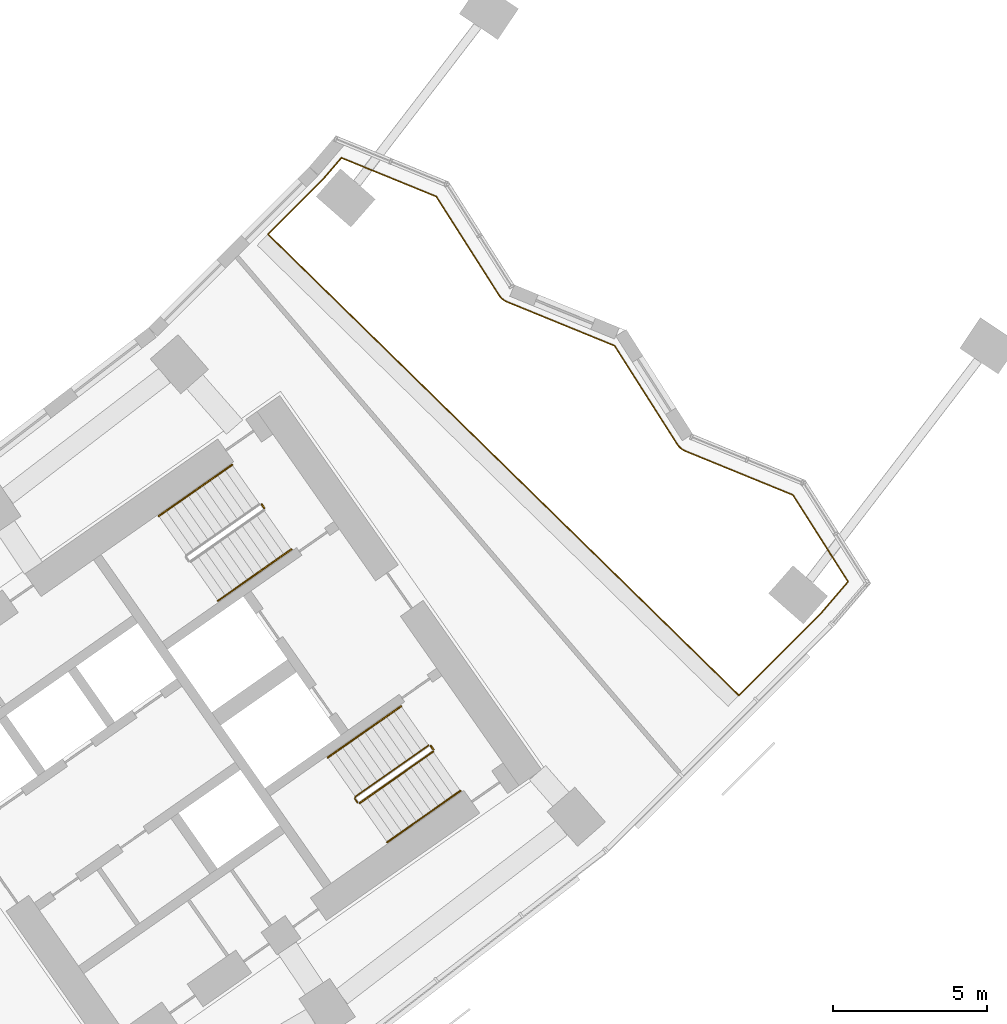
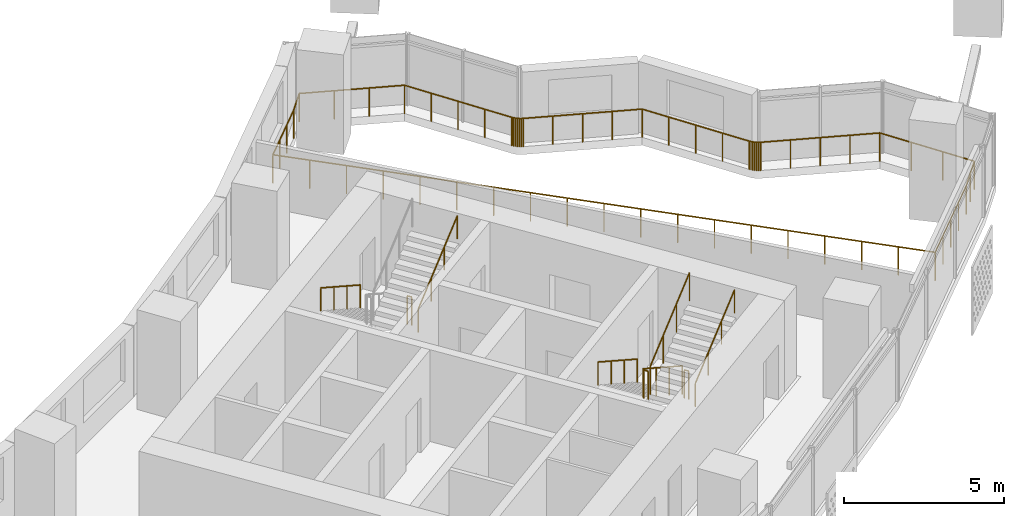
# One storey, part 29 of 30: 9 railings.
"""IFC4 building model written with IfcOpenShell, lengths in metres."""

from ifc_helpers import new_model, si_unit, direction, frame, origin, origin_2d, place, context, subcontext, project, spatial, circle, extrude, material, type_object, element, save


model = new_model("IFC4")

# Units and contexts
model_context = context("Model", 3, precision=1e-05, world=origin(), true_north=direction((0.0, 1.0)))
body_context = subcontext(model_context, "Body", "Model", "MODEL_VIEW")
ifc_project = project(units=[si_unit("LENGTHUNIT", "METRE"), si_unit("AREAUNIT", "SQUARE_METRE"), si_unit("VOLUMEUNIT", "CUBIC_METRE"), si_unit("PLANEANGLEUNIT", "RADIAN"), si_unit("MASSUNIT", "GRAM", prefix="KILO")], contexts=[model_context])

# Site, building, storey
site_placement = place(None, origin())
site = spatial("IfcSite", under=ifc_project, at=site_placement, CompositionType="ELEMENT")
building_placement = place(site_placement, origin())
building = spatial("IfcBuilding", under=site, at=building_placement, Name="Qamariyya Broadcast Tower", CompositionType="ELEMENT")
storey_placement = place(building_placement, frame((0.0, 0.0, 98.699951171875)))
storey = spatial("IfcBuildingStorey", under=building, at=storey_placement, Name="L21", CompositionType="ELEMENT", Elevation=98.699951171875)

# Railings
ifc_material_1 = material(Name="Stainless steel S316 balustrade", Category="steel")
railing_type_1 = type_object("IfcRailingType", Name="Garden void guard", PredefinedType="GUARDRAIL", material=ifc_material_1)
railing_1_placement = place(storey_placement, frame((43.053466796875, -37.80908203125, 0.0)))
element("IfcRailing", 1, at=railing_1_placement, inside=storey, type_object=railing_type_1, Name="Guard round Sky garden B2", PredefinedType="GUARDRAIL", context=body_context, shape_type="SweptSolid", body=[
    extrude(circle(Radius=0.02392578125, at=origin_2d()), frame((0.0, 0.0, 1.076171875), z_axis=(-0.707058137649, -0.707155421378, 0.0), x_axis=(0.707155421378, -0.707058137649, 0.0)), (0.0, 0.0, 1.0), 2.509521484375),
    extrude(circle(Radius=0.02392578125, at=origin_2d()), frame((-1.7744140625, -1.774658203125, 1.076171875), z_axis=(0.714476965864, -0.699658963531, 0.0), x_axis=(0.699658963531, 0.714476965864, 0.0)), (0.0, 0.0, 1.0), 21.352783203125),
    extrude(circle(Radius=0.02392578125, at=origin_2d()), frame((13.481689453125, -16.71435546875, 1.076171875), z_axis=(0.70707414825, 0.707139412617, 0.0), x_axis=(-0.707139412617, 0.70707414825, 0.0)), (0.0, 0.0, 1.0), 3.74072265625),
    extrude(circle(Radius=0.02392578125, at=origin_2d()), frame((16.126708984375, -14.069091796875, 1.076171875), z_axis=(0.650688515061, 0.75934475462, 0.0), x_axis=(-0.75934475462, 0.650688515061, 0.0)), (0.0, 0.0, 1.0), 1.368408203125),
    extrude(circle(Radius=0.02392578125, at=origin_2d()), frame((17.01708984375, -13.030029296875, 1.076171875), z_axis=(-0.536500324445, 0.843900113681, 0.0), x_axis=(-0.843900113681, -0.536500324445, 0.0)), (0.0, 0.0, 1.0), 3.326904296875),
    extrude(circle(Radius=0.02392578125, at=origin_2d()), frame((15.232177734375, -10.222412109375, 1.076171875), z_axis=(-0.925801653121, 0.378009654742, 0.0), x_axis=(-0.378009654742, -0.925801653121, 0.0)), (0.0, 0.0, 1.0), 3.753173828125),
    extrude(circle(Radius=0.02392578125, at=origin_2d()), frame((11.757568359375, -8.8037109375, 1.076171875), z_axis=(-0.905268109182, 0.42484073545, 0.0), x_axis=(-0.42484073545, -0.905268109182, 0.0)), (0.0, 0.0, 1.0), 0.0615234375),
    extrude(circle(Radius=0.02392578125, at=origin_2d()), frame((11.701904296875, -8.777587890625, 1.076171875), z_axis=(-0.857841539246, 0.513914286184, 0.0), x_axis=(-0.513914286184, -0.857841539246, 0.0)), (0.0, 0.0, 1.0), 0.061767578125),
    extrude(circle(Radius=0.02392578125, at=origin_2d()), frame((11.64892578125, -8.745849609375, 1.076171875), z_axis=(-0.797612767624, 0.603169854124, 0.0), x_axis=(-0.603169854124, -0.797612767624, 0.0)), (0.0, 0.0, 1.0), 0.0615234375),
    extrude(circle(Radius=0.02392578125, at=origin_2d()), frame((11.599853515625, -8.708740234375, 1.076171875), z_axis=(-0.734197815245, 0.678935614097, 0.0), x_axis=(-0.678935614097, -0.734197815245, 0.0)), (0.0, 0.0, 1.0), 0.061767578125),
    extrude(circle(Radius=0.02392578125, at=origin_2d()), frame((11.554443359375, -8.666748046875, 1.076171875), z_axis=(-0.659910665695, 0.751344071183, 0.0), x_axis=(-0.751344071183, -0.659910665695, 0.0)), (0.0, 0.0, 1.0), 0.0615234375),
    extrude(circle(Radius=0.02392578125, at=origin_2d()), frame((11.513916015625, -8.62060546875, 1.076171875), z_axis=(-0.580864345818, 0.814000375772, 0.0), x_axis=(-0.814000375772, -0.580864345818, 0.0)), (0.0, 0.0, 1.0), 0.061767578125),
    extrude(circle(Radius=0.02392578125, at=origin_2d()), frame((11.47802734375, -8.5703125, 1.076171875), z_axis=(-0.536557167041, 0.84386397393, 0.0), x_axis=(-0.84386397393, -0.536557167041, 0.0)), (0.0, 0.0, 1.0), 3.77197265625),
    extrude(circle(Radius=0.02392578125, at=origin_2d()), frame((9.4541015625, -5.38720703125, 1.076171875), z_axis=(-0.925832774876, 0.377933423986, 0.0), x_axis=(-0.377933423986, -0.925832774876, 0.0)), (0.0, 0.0, 1.0), 3.751953125),
    extrude(circle(Radius=0.02392578125, at=origin_2d()), frame((5.98046875, -3.96923828125, 1.076171875), z_axis=(-0.904460344159, 0.426557716896, 0.0), x_axis=(-0.426557716896, -0.904460344159, 0.0)), (0.0, 0.0, 1.0), 0.061767578125),
    extrude(circle(Radius=0.02392578125, at=origin_2d()), frame((5.924560546875, -3.94287109375, 1.076171875), z_axis=(-0.856792138492, 0.515661935204, 0.0), x_axis=(-0.515661935204, -0.856792138492, 0.0)), (0.0, 0.0, 1.0), 0.0615234375),
    extrude(circle(Radius=0.02392578125, at=origin_2d()), frame((5.871826171875, -3.9111328125, 1.076171875), z_axis=(-0.79904963266, 0.60126507012, 0.0), x_axis=(-0.60126507012, -0.79904963266, 0.0)), (0.0, 0.0, 1.0), 0.061767578125),
    extrude(circle(Radius=0.02392578125, at=origin_2d()), frame((5.822509765625, -3.8740234375, 1.076171875), z_axis=(-0.734346728958, 0.678774544064, 0.0), x_axis=(-0.678774544064, -0.734346728958, 0.0)), (0.0, 0.0, 1.0), 0.0615234375),
    extrude(circle(Radius=0.02392578125, at=origin_2d()), frame((5.77734375, -3.832275390625, 1.076171875), z_axis=(-0.660182198406, 0.751105495192, 0.0), x_axis=(-0.751105495192, -0.660182198406, 0.0)), (0.0, 0.0, 1.0), 0.061767578125),
    extrude(circle(Radius=0.02392578125, at=origin_2d()), frame((5.736572265625, -3.785888671875, 1.076171875), z_axis=(-0.578237094784, 0.815868777572, 0.0), x_axis=(-0.815868777572, -0.578237094784, 0.0)), (0.0, 0.0, 1.0), 0.0615234375),
    extrude(circle(Radius=0.02392578125, at=origin_2d()), frame((5.700927734375, -3.735595703125, 1.076171875), z_axis=(-0.536699644461, 0.84377336509, 0.0), x_axis=(-0.84377336509, -0.536699644461, 0.0)), (0.0, 0.0, 1.0), 3.7734375),
    extrude(circle(Radius=0.02392578125, at=origin_2d()), frame((3.67578125, -0.5517578125, 1.076171875), z_axis=(-0.925871284515, 0.377839072239, 0.0), x_axis=(-0.377839072239, -0.925871284515, 0.0)), (0.0, 0.0, 1.0), 3.31787109375),
    extrude(circle(Radius=0.02392578125, at=origin_2d()), frame((0.603759765625, 0.701904296875, 1.076171875), z_axis=(-0.650608489316, -0.759413322, 0.0), x_axis=(0.759413322, -0.650608489316, 0.0)), (0.0, 0.0, 1.0), 0.879638671875),
    extrude(circle(Radius=0.02392578125, at=origin_2d()), frame((0.031494140625, 0.033935546875, 1.076171875), z_axis=(-0.680248811934, -0.732981277975, 0.0), x_axis=(0.732981277975, -0.680248811934, 0.0)), (0.0, 0.0, 1.0), 0.04638671875),
    extrude(circle(Radius=0.02099609375, at=origin_2d()), origin(), (0.0, 0.0, 1.0), 1.052001953125),
    extrude(circle(Radius=0.02099609375, at=origin_2d()), frame((-0.591552734375, -0.591552734375, 0.0)), (0.0, 0.0, 1.0), 1.052001953125),
    extrude(circle(Radius=0.02099609375, at=origin_2d()), frame((-1.182861328125, -1.18310546875, 0.0)), (0.0, 0.0, 1.0), 1.052001953125),
    extrude(circle(Radius=0.02099609375, at=origin_2d()), frame((-1.7744140625, -1.774658203125, 0.0)), (0.0, 0.0, 1.0), 1.052001953125),
    extrude(circle(Radius=0.02099609375, at=origin_2d()), frame((-0.9267578125, -2.604736328125, 0.0)), (0.0, 0.0, 1.0), 1.052001953125),
    extrude(circle(Radius=0.02099609375, at=origin_2d()), frame((-0.079345703125, -3.4345703125, 0.0)), (0.0, 0.0, 1.0), 1.052001953125),
    extrude(circle(Radius=0.02099609375, at=origin_2d()), frame((0.768310546875, -4.2646484375, 0.0)), (0.0, 0.0, 1.0), 1.052001953125),
    extrude(circle(Radius=0.02099609375, at=origin_2d()), frame((1.61572265625, -5.094482421875, 0.0)), (0.0, 0.0, 1.0), 1.052001953125),
    extrude(circle(Radius=0.02099609375, at=origin_2d()), frame((2.46337890625, -5.924560546875, 0.0)), (0.0, 0.0, 1.0), 1.052001953125),
    extrude(circle(Radius=0.02099609375, at=origin_2d()), frame((3.31103515625, -6.754638671875, 0.0)), (0.0, 0.0, 1.0), 1.052001953125),
    extrude(circle(Radius=0.02099609375, at=origin_2d()), frame((4.158447265625, -7.58447265625, 0.0)), (0.0, 0.0, 1.0), 1.052001953125),
    extrude(circle(Radius=0.02099609375, at=origin_2d()), frame((5.006103515625, -8.41455078125, 0.0)), (0.0, 0.0, 1.0), 1.052001953125),
    extrude(circle(Radius=0.02099609375, at=origin_2d()), frame((5.853515625, -9.24462890625, 0.0)), (0.0, 0.0, 1.0), 1.052001953125),
    extrude(circle(Radius=0.02099609375, at=origin_2d()), frame((6.701171875, -10.074462890625, 0.0)), (0.0, 0.0, 1.0), 1.052001953125),
    extrude(circle(Radius=0.02099609375, at=origin_2d()), frame((7.548828125, -10.904541015625, 0.0)), (0.0, 0.0, 1.0), 1.052001953125),
    extrude(circle(Radius=0.02099609375, at=origin_2d()), frame((8.396240234375, -11.734375, 0.0)), (0.0, 0.0, 1.0), 1.052001953125),
    extrude(circle(Radius=0.02099609375, at=origin_2d()), frame((9.243896484375, -12.564453125, 0.0)), (0.0, 0.0, 1.0), 1.052001953125),
    extrude(circle(Radius=0.02099609375, at=origin_2d()), frame((10.091552734375, -13.39453125, 0.0)), (0.0, 0.0, 1.0), 1.052001953125),
    extrude(circle(Radius=0.02099609375, at=origin_2d()), frame((10.93896484375, -14.224365234375, 0.0)), (0.0, 0.0, 1.0), 1.052001953125),
    extrude(circle(Radius=0.02099609375, at=origin_2d()), frame((11.78662109375, -15.054443359375, 0.0)), (0.0, 0.0, 1.0), 1.052001953125),
    extrude(circle(Radius=0.02099609375, at=origin_2d()), frame((12.634033203125, -15.88427734375, 0.0)), (0.0, 0.0, 1.0), 1.052001953125),
    extrude(circle(Radius=0.02099609375, at=origin_2d()), frame((13.481689453125, -16.71435546875, 0.0)), (0.0, 0.0, 1.0), 1.052001953125),
    extrude(circle(Radius=0.02099609375, at=origin_2d()), frame((14.14306640625, -16.052978515625, 0.0)), (0.0, 0.0, 1.0), 1.052001953125),
    extrude(circle(Radius=0.02099609375, at=origin_2d()), frame((14.80419921875, -15.3916015625, 0.0)), (0.0, 0.0, 1.0), 1.052001953125),
    extrude(circle(Radius=0.02099609375, at=origin_2d()), frame((15.46533203125, -14.73046875, 0.0)), (0.0, 0.0, 1.0), 1.052001953125),
    extrude(circle(Radius=0.02099609375, at=origin_2d()), frame((16.126708984375, -14.069091796875, 0.0)), (0.0, 0.0, 1.0), 1.052001953125),
    extrude(circle(Radius=0.02099609375, at=origin_2d()), frame((16.57177734375, -13.549560546875, 0.0)), (0.0, 0.0, 1.0), 1.052001953125),
    extrude(circle(Radius=0.02099609375, at=origin_2d()), frame((17.01708984375, -13.030029296875, 0.0)), (0.0, 0.0, 1.0), 1.052001953125),
    extrude(circle(Radius=0.02099609375, at=origin_2d()), frame((16.422119140625, -12.09423828125, 0.0)), (0.0, 0.0, 1.0), 1.052001953125),
    extrude(circle(Radius=0.02099609375, at=origin_2d()), frame((15.8271484375, -11.158203125, 0.0)), (0.0, 0.0, 1.0), 1.052001953125),
    extrude(circle(Radius=0.02099609375, at=origin_2d()), frame((15.232177734375, -10.222412109375, 0.0)), (0.0, 0.0, 1.0), 1.052001953125),
    extrude(circle(Radius=0.02099609375, at=origin_2d()), frame((14.363525390625, -9.86767578125, 0.0)), (0.0, 0.0, 1.0), 1.052001953125),
    extrude(circle(Radius=0.02099609375, at=origin_2d()), frame((13.494873046875, -9.51318359375, 0.0)), (0.0, 0.0, 1.0), 1.052001953125),
    extrude(circle(Radius=0.02099609375, at=origin_2d()), frame((12.626220703125, -9.158447265625, 0.0)), (0.0, 0.0, 1.0), 1.052001953125),
    extrude(circle(Radius=0.02099609375, at=origin_2d()), frame((11.757568359375, -8.8037109375, 0.0)), (0.0, 0.0, 1.0), 1.052001953125),
    extrude(circle(Radius=0.02099609375, at=origin_2d()), frame((11.701904296875, -8.777587890625, 0.0)), (0.0, 0.0, 1.0), 1.052001953125),
    extrude(circle(Radius=0.02099609375, at=origin_2d()), frame((11.64892578125, -8.745849609375, 0.0)), (0.0, 0.0, 1.0), 1.052001953125),
    extrude(circle(Radius=0.02099609375, at=origin_2d()), frame((11.599853515625, -8.708740234375, 0.0)), (0.0, 0.0, 1.0), 1.052001953125),
    extrude(circle(Radius=0.02099609375, at=origin_2d()), frame((11.554443359375, -8.666748046875, 0.0)), (0.0, 0.0, 1.0), 1.052001953125),
    extrude(circle(Radius=0.02099609375, at=origin_2d()), frame((11.513916015625, -8.62060546875, 0.0)), (0.0, 0.0, 1.0), 1.052001953125),
    extrude(circle(Radius=0.02099609375, at=origin_2d()), frame((11.47802734375, -8.5703125, 0.0)), (0.0, 0.0, 1.0), 1.052001953125),
    extrude(circle(Radius=0.02099609375, at=origin_2d()), frame((10.97216796875, -7.7744140625, 0.0)), (0.0, 0.0, 1.0), 1.052001953125),
    extrude(circle(Radius=0.02099609375, at=origin_2d()), frame((10.466064453125, -6.978759765625, 0.0)), (0.0, 0.0, 1.0), 1.052001953125),
    extrude(circle(Radius=0.02099609375, at=origin_2d()), frame((9.9599609375, -6.18310546875, 0.0)), (0.0, 0.0, 1.0), 1.052001953125),
    extrude(circle(Radius=0.02099609375, at=origin_2d()), frame((9.4541015625, -5.38720703125, 0.0)), (0.0, 0.0, 1.0), 1.052001953125),
    extrude(circle(Radius=0.02099609375, at=origin_2d()), frame((8.585693359375, -5.03271484375, 0.0)), (0.0, 0.0, 1.0), 1.052001953125),
    extrude(circle(Radius=0.02099609375, at=origin_2d()), frame((7.71728515625, -4.67822265625, 0.0)), (0.0, 0.0, 1.0), 1.052001953125),
    extrude(circle(Radius=0.02099609375, at=origin_2d()), frame((6.848876953125, -4.32373046875, 0.0)), (0.0, 0.0, 1.0), 1.052001953125),
    extrude(circle(Radius=0.02099609375, at=origin_2d()), frame((5.98046875, -3.96923828125, 0.0)), (0.0, 0.0, 1.0), 1.052001953125),
    extrude(circle(Radius=0.02099609375, at=origin_2d()), frame((5.924560546875, -3.94287109375, 0.0)), (0.0, 0.0, 1.0), 1.052001953125),
    extrude(circle(Radius=0.02099609375, at=origin_2d()), frame((5.871826171875, -3.9111328125, 0.0)), (0.0, 0.0, 1.0), 1.052001953125),
    extrude(circle(Radius=0.02099609375, at=origin_2d()), frame((5.822509765625, -3.8740234375, 0.0)), (0.0, 0.0, 1.0), 1.052001953125),
    extrude(circle(Radius=0.02099609375, at=origin_2d()), frame((5.77734375, -3.832275390625, 0.0)), (0.0, 0.0, 1.0), 1.052001953125),
    extrude(circle(Radius=0.02099609375, at=origin_2d()), frame((5.736572265625, -3.785888671875, 0.0)), (0.0, 0.0, 1.0), 1.052001953125),
    extrude(circle(Radius=0.02099609375, at=origin_2d()), frame((5.700927734375, -3.735595703125, 0.0)), (0.0, 0.0, 1.0), 1.052001953125),
    extrude(circle(Radius=0.02099609375, at=origin_2d()), frame((5.194580078125, -2.939697265625, 0.0)), (0.0, 0.0, 1.0), 1.052001953125),
    extrude(circle(Radius=0.02099609375, at=origin_2d()), frame((4.6884765625, -2.1435546875, 0.0)), (0.0, 0.0, 1.0), 1.052001953125),
    extrude(circle(Radius=0.02099609375, at=origin_2d()), frame((4.18212890625, -1.34765625, 0.0)), (0.0, 0.0, 1.0), 1.052001953125),
    extrude(circle(Radius=0.02099609375, at=origin_2d()), frame((3.67578125, -0.5517578125, 0.0)), (0.0, 0.0, 1.0), 1.052001953125),
    extrude(circle(Radius=0.02099609375, at=origin_2d()), frame((2.65185546875, -0.1337890625, 0.0)), (0.0, 0.0, 1.0), 1.052001953125),
    extrude(circle(Radius=0.02099609375, at=origin_2d()), frame((1.627685546875, 0.283935546875, 0.0)), (0.0, 0.0, 1.0), 1.052001953125),
    extrude(circle(Radius=0.02099609375, at=origin_2d()), frame((0.603759765625, 0.701904296875, 0.0)), (0.0, 0.0, 1.0), 1.052001953125),
    extrude(circle(Radius=0.02099609375, at=origin_2d()), frame((0.031494140625, 0.033935546875, 0.0)), (0.0, 0.0, 1.0), 1.052001953125),
])
ifc_material_2 = material(Name="Painted steel", Category="steel")
railing_type_2 = type_object("IfcRailingType", Name="Stair guard", PredefinedType="GUARDRAIL", material=ifc_material_2)
railing_2_placement = place(storey_placement, frame((41.072998046875, -48.332275390625, 0.0)))
element("IfcRailing", 2, at=railing_2_placement, inside=storey, type_object=railing_type_2, Name="L21 ST-E2 stair guard 3", PredefinedType="GUARDRAIL", context=body_context, shape_type="SweptSolid", body=[
    extrude(circle(Radius=0.02392578125, at=origin_2d()), frame((0.0, 0.0, 1.076171875), z_axis=(0.572588637393, -0.819842821722, 0.0), x_axis=(0.819842821722, 0.572588637393, 0.0)), (0.0, 0.0, 1.0), 0.150146484375),
    extrude(circle(Radius=0.02099609375, at=origin_2d()), origin(), (0.0, 0.0, 1.0), 1.052001953125),
    extrude(circle(Radius=0.02099609375, at=origin_2d()), frame((0.0859375, -0.123046875, 0.0)), (0.0, 0.0, 1.0), 1.052001953125),
])
railing_3_placement = place(storey_placement, frame((46.48095703125, -56.14306640625, 0.1728515625)))
element("IfcRailing", 3, at=railing_3_placement, inside=storey, type_object=railing_type_2, Name="L21 ST-E1 stair guard 1", PredefinedType="GUARDRAIL", context=body_context, shape_type="SweptSolid", body=[
    extrude(circle(Radius=0.02392578125, at=origin_2d()), frame((0.0, 0.0, 1.076171875), z_axis=(-0.703770094002, -0.492783725636, 0.511734163933), x_axis=(0.573575343427, -0.819152809562, 0.0)), (0.0, 0.0, 1.0), 3.37548828125),
    extrude(circle(Radius=0.02392578125, at=origin_2d()), frame((-2.37548828125, -1.663330078125, 2.80322265625), z_axis=(-0.176149252506, -0.984363469884, 0.0), x_axis=(0.984363469884, -0.176149252506, 0.0)), (0.0, 0.0, 1.0), 0.07080078125),
    extrude(circle(Radius=0.02392578125, at=origin_2d()), frame((-2.387939453125, -1.73291015625, 2.80322265625), z_axis=(0.574444878118, -0.818543268254, 0.0), x_axis=(0.818543268254, 0.574444878118, 0.0)), (0.0, 0.0, 1.0), 0.150146484375),
    extrude(circle(Radius=0.02099609375, at=origin_2d()), origin(), (0.0, 0.0, 1.0), 1.052001953125),
    extrude(circle(Radius=0.02099609375, at=origin_2d()), frame((-0.791748046875, -0.554443359375, 0.57568359375)), (0.0, 0.0, 1.0), 1.052001953125),
    extrude(circle(Radius=0.02099609375, at=origin_2d()), frame((-1.583740234375, -1.10888671875, 1.151611328125)), (0.0, 0.0, 1.0), 1.052001953125),
    extrude(circle(Radius=0.02099609375, at=origin_2d()), frame((-2.37548828125, -1.663330078125, 1.727294921875)), (0.0, 0.0, 1.0), 1.052001953125),
    extrude(circle(Radius=0.02099609375, at=origin_2d()), frame((-2.387939453125, -1.73291015625, 1.727294921875)), (0.0, 0.0, 1.0), 1.052001953125),
    extrude(circle(Radius=0.02099609375, at=origin_2d()), frame((-2.3017578125, -1.855712890625, 1.727294921875)), (0.0, 0.0, 1.0), 1.052001953125),
])
railing_4_placement = place(storey_placement, frame((44.248779296875, -58.01123046875, 2.07275390625)))
element("IfcRailing", 4, at=railing_4_placement, inside=storey, type_object=railing_type_2, Name="L21 ST-E1 stair guard 2", PredefinedType="GUARDRAIL", context=body_context, shape_type="SweptSolid", body=[
    extrude(circle(Radius=0.02392578125, at=origin_2d()), frame((0.0, 0.0, 1.076171875), z_axis=(0.703745009021, 0.492838488332, 0.511715923826), x_axis=(-0.573631830683, 0.819113253969, 0.0)), (0.0, 0.0, 1.0), 3.37548828125),
    extrude(circle(Radius=0.02099609375, at=origin_2d()), origin(), (0.0, 0.0, 1.0), 1.052001953125),
    extrude(circle(Radius=0.02099609375, at=origin_2d()), frame((0.791748046875, 0.554443359375, 0.57568359375)), (0.0, 0.0, 1.0), 1.052001953125),
    extrude(circle(Radius=0.02099609375, at=origin_2d()), frame((1.583740234375, 1.109130859375, 1.151611328125)), (0.0, 0.0, 1.0), 1.052001953125),
    extrude(circle(Radius=0.02099609375, at=origin_2d()), frame((2.37548828125, 1.66357421875, 1.727294921875)), (0.0, 0.0, 1.0), 1.052001953125),
])
railing_5_placement = place(storey_placement, frame((46.550537109375, -56.1552734375, 0.0)))
element("IfcRailing", 5, at=railing_5_placement, inside=storey, type_object=railing_type_2, Name="L21 ST-E1 stair guard 3", PredefinedType="GUARDRAIL", context=body_context, shape_type="SweptSolid", body=[
    extrude(circle(Radius=0.02392578125, at=origin_2d()), frame((0.0, 0.0, 1.076171875), z_axis=(0.574444878118, -0.818543268254, 0.0), x_axis=(0.818543268254, 0.574444878118, 0.0)), (0.0, 0.0, 1.0), 0.150146484375),
    extrude(circle(Radius=0.02099609375, at=origin_2d()), origin(), (0.0, 0.0, 1.0), 1.052001953125),
    extrude(circle(Radius=0.02099609375, at=origin_2d()), frame((0.086181640625, -0.122802734375, 0.0)), (0.0, 0.0, 1.0), 1.052001953125),
])
ifc_material_3 = material(Name="Stainless steel", Category="steel")
railing_type_3 = type_object("IfcRailingType", Name="Stair handrail", PredefinedType="HANDRAIL", material=ifc_material_3)
railing_6_placement = place(storey_placement, frame((40.1142578125, -47.05029296875, 0.1728515625)))
element("IfcRailing", 6, at=railing_6_placement, inside=storey, type_object=railing_type_3, Name="L21 ST-E2 stair handrail 1", PredefinedType="HANDRAIL", context=body_context, shape_type="SweptSolid", body=[
    extrude(circle(Radius=0.02392578125, at=origin_2d()), frame((0.0, 0.0, 0.8759765625), z_axis=(-0.703745009021, -0.492838488332, 0.511715923826), x_axis=(0.573631830683, -0.819113253969, 0.0)), (0.0, 0.0, 1.0), 3.37548828125),
    extrude(circle(Radius=0.02099609375, at=origin_2d()), origin(), (0.0, 0.0, 1.0), 0.851806640625),
    extrude(circle(Radius=0.02099609375, at=origin_2d()), frame((-0.791748046875, -0.554443359375, 0.57568359375)), (0.0, 0.0, 1.0), 0.851806640625),
    extrude(circle(Radius=0.02099609375, at=origin_2d()), frame((-1.583740234375, -1.109130859375, 1.151611328125)), (0.0, 0.0, 1.0), 0.851806640625),
    extrude(circle(Radius=0.02099609375, at=origin_2d()), frame((-2.37548828125, -1.66357421875, 1.727294921875)), (0.0, 0.0, 1.0), 0.851806640625),
])
railing_7_placement = place(storey_placement, frame((39.66015625, -51.4580078125, 2.07275390625)))
element("IfcRailing", 7, at=railing_7_placement, inside=storey, type_object=railing_type_3, Name="L21 ST-E2 stair handrail 2", PredefinedType="HANDRAIL", context=body_context, shape_type="SweptSolid", body=[
    extrude(circle(Radius=0.02392578125, at=origin_2d()), frame((0.0, 0.0, 0.8759765625), z_axis=(0.703745009021, 0.492838488332, 0.511715923826), x_axis=(-0.573631830683, 0.819113253969, 0.0)), (0.0, 0.0, 1.0), 3.37548828125),
    extrude(circle(Radius=0.02099609375, at=origin_2d()), origin(), (0.0, 0.0, 1.0), 0.851806640625),
    extrude(circle(Radius=0.02099609375, at=origin_2d()), frame((0.791748046875, 0.554443359375, 0.57568359375)), (0.0, 0.0, 1.0), 0.851806640625),
    extrude(circle(Radius=0.02099609375, at=origin_2d()), frame((1.583740234375, 1.109130859375, 1.151611328125)), (0.0, 0.0, 1.0), 0.851806640625),
    extrude(circle(Radius=0.02099609375, at=origin_2d()), frame((2.37548828125, 1.66357421875, 1.727294921875)), (0.0, 0.0, 1.0), 0.851806640625),
])
railing_8_placement = place(storey_placement, frame((45.591796875, -54.873291015625, 0.1728515625)))
element("IfcRailing", 8, at=railing_8_placement, inside=storey, type_object=railing_type_3, Name="L21 ST-E1 stair handrail 1", PredefinedType="HANDRAIL", context=body_context, shape_type="SweptSolid", body=[
    extrude(circle(Radius=0.02392578125, at=origin_2d()), frame((0.0, 0.0, 0.8759765625), z_axis=(-0.703770094002, -0.492783725636, 0.511734163933), x_axis=(0.573575343427, -0.819152809562, 0.0)), (0.0, 0.0, 1.0), 3.37548828125),
    extrude(circle(Radius=0.02099609375, at=origin_2d()), origin(), (0.0, 0.0, 1.0), 0.851806640625),
    extrude(circle(Radius=0.02099609375, at=origin_2d()), frame((-0.791748046875, -0.554443359375, 0.57568359375)), (0.0, 0.0, 1.0), 0.851806640625),
    extrude(circle(Radius=0.02099609375, at=origin_2d()), frame((-1.583740234375, -1.10888671875, 1.151611328125)), (0.0, 0.0, 1.0), 0.851806640625),
    extrude(circle(Radius=0.02099609375, at=origin_2d()), frame((-2.37548828125, -1.663330078125, 1.727294921875)), (0.0, 0.0, 1.0), 0.851806640625),
])
railing_9_placement = place(storey_placement, frame((45.137939453125, -59.28076171875, 2.07275390625)))
element("IfcRailing", 9, at=railing_9_placement, inside=storey, type_object=railing_type_3, Name="L21 ST-E1 stair handrail 2", PredefinedType="HANDRAIL", context=body_context, shape_type="SweptSolid", body=[
    extrude(circle(Radius=0.02392578125, at=origin_2d()), frame((0.0, 0.0, 0.8759765625), z_axis=(0.703770094002, 0.492783725636, 0.511734163933), x_axis=(-0.573575343427, 0.819152809562, 0.0)), (0.0, 0.0, 1.0), 3.37548828125),
    extrude(circle(Radius=0.02099609375, at=origin_2d()), origin(), (0.0, 0.0, 1.0), 0.851806640625),
    extrude(circle(Radius=0.02099609375, at=origin_2d()), frame((0.791748046875, 0.554443359375, 0.57568359375)), (0.0, 0.0, 1.0), 0.851806640625),
    extrude(circle(Radius=0.02099609375, at=origin_2d()), frame((1.583740234375, 1.10888671875, 1.151611328125)), (0.0, 0.0, 1.0), 0.851806640625),
    extrude(circle(Radius=0.02099609375, at=origin_2d()), frame((2.37548828125, 1.663330078125, 1.727294921875)), (0.0, 0.0, 1.0), 0.851806640625),
])

save(model, "model.ifc")
